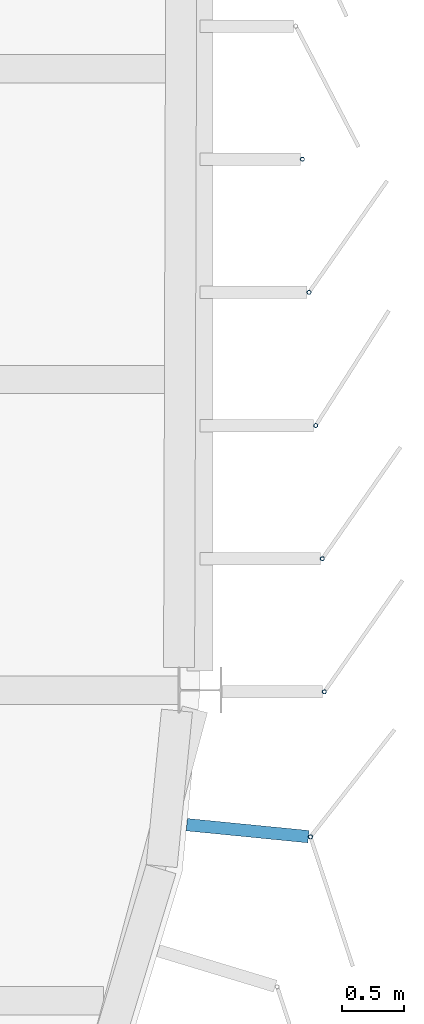
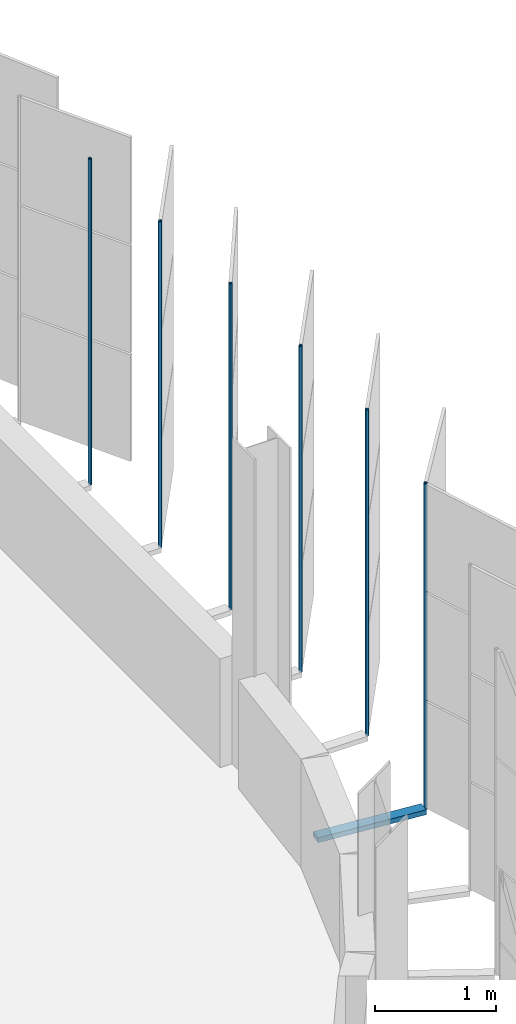
# One storey, part 108 of 214: 7 discrete accessories.
"""IFC4 building model written with IfcOpenShell, lengths in metres."""

from ifc_helpers import new_model, si_unit, direction, frame, origin, origin_2d, place, context, subcontext, project, spatial, rectangle, hollow_circle, extrude, material, material_profile, profile_set, type_object, element, save


model = new_model("IFC4")

# Units and contexts
model_context = context("Model", 3, precision=1e-05, world=origin(), true_north=direction((0.0, 1.0)))
body_context = subcontext(model_context, "Body", "Model", "MODEL_VIEW")
ifc_project = project(units=[si_unit("LENGTHUNIT", "METRE"), si_unit("AREAUNIT", "SQUARE_METRE"), si_unit("VOLUMEUNIT", "CUBIC_METRE"), si_unit("PLANEANGLEUNIT", "RADIAN"), si_unit("MASSUNIT", "GRAM", prefix="KILO")], contexts=[model_context])

# Site, building, storey
site_placement = place(None, origin())
site = spatial("IfcSite", under=ifc_project, at=site_placement, CompositionType="ELEMENT")
building_placement = place(site_placement, origin())
building = spatial("IfcBuilding", under=site, at=building_placement, Name="Parallax Yard Mobility Hub", CompositionType="ELEMENT")
storey_placement = place(building_placement, frame((0.0, 0.0, 3.300048828125)))
storey = spatial("IfcBuildingStorey", under=building, at=storey_placement, Name="L01", CompositionType="ELEMENT", Elevation=3.300048828125)

# Discrete accessories
ifc_material_1 = material(Name="Steel ASTM A36, hot-dip galvanised", Category="steel")
discrete_accessory_type_1 = type_object("IfcDiscreteAccessoryType", Name="Hinge bracket plate 100x50", PredefinedType="BRACKET", material=ifc_material_1)
discrete_accessory_placement = place(storey_placement, frame((225.382568359375, 28.868408203125, -0.02490234375), z_axis=(0.0, 0.0, 1.0), x_axis=(0.995184726672, -0.09801714033, 0.0)))
element("IfcDiscreteAccessory", 1, at=discrete_accessory_placement, inside=storey, type_object=discrete_accessory_type_1, Name="Hinge bracket plate bay 32.11 level L01", PredefinedType="BRACKET", context=body_context, shape_type="SweptSolid", body=[
    extrude(rectangle(XDim=0.984130859375, YDim=0.10009765625, at=origin_2d()), origin(), (0.0, 0.0, 1.0), 0.050048828125),
])
ifc_material_2 = material(Name="Steel ASTM A500 Gr C, hot-dip galvanised", Category="steel")
ifc_material_profile = material_profile(ifc_material_2, hollow_circle(Radius=0.016845703125, WallThickness=0.003173828125, at=origin_2d()), Name="CHS 33.7x3.2")
ifc_profile_set = profile_set([ifc_material_profile], Name="Steel ASTM A500 Gr C, hot-dip galvanised")
discrete_accessory_type_2 = type_object("IfcDiscreteAccessoryType", Name="Hinge post CHS 33.7x3.2", PredefinedType="BRACKET", material=ifc_profile_set)
for number, where, z_axis, x_axis, name in (
    (2, (225.888427734375, 28.818603515625, 0.0), (0.0, 0.0, 1.0), (1.0, 0.0, 0.0), "Hinge post bay 32.11 level L01"),
    (3, (226.0, 29.985595703125, 0.0), (0.0, 0.0, 1.0), (1.0, 0.0, 0.0), "Hinge post bay 33.1 level L01"),
    (4, (225.98388671875, 31.057373046875, 0.0), (0.0, 0.0, 1.0), (1.0, 0.0, 0.0), "Hinge post bay 33.2 level L01"),
    (5, (225.930419921875, 32.12890625, 0.0), (0.0, 0.0, 1.0), (1.0, 0.0, 0.0), "Hinge post bay 33.3 level L01"),
    (6, (225.876708984375, 33.20068359375, 0.0), (0.0, 0.0, 1.0), (1.0, 0.0, 0.0), "Hinge post bay 33.4 level L01"),
    (7, (225.8232421875, 34.2724609375, 0.0), (0.0, 0.0, 1.0), (1.0, 0.0, 0.0), "Hinge post bay 33.5 level L01"),
):
    element("IfcDiscreteAccessory", number, at=place(storey_placement, frame(where, z_axis=z_axis, x_axis=x_axis)), inside=storey, type_object=discrete_accessory_type_2, Name=name, PredefinedType="BRACKET", context=body_context, shape_type="SweptSolid", body=[
        extrude(hollow_circle(Radius=0.016845703125, WallThickness=0.003173828125, at=origin_2d()), origin(), (0.0, 0.0, 1.0), 3.300048828125),
    ])

save(model, "model.ifc")
